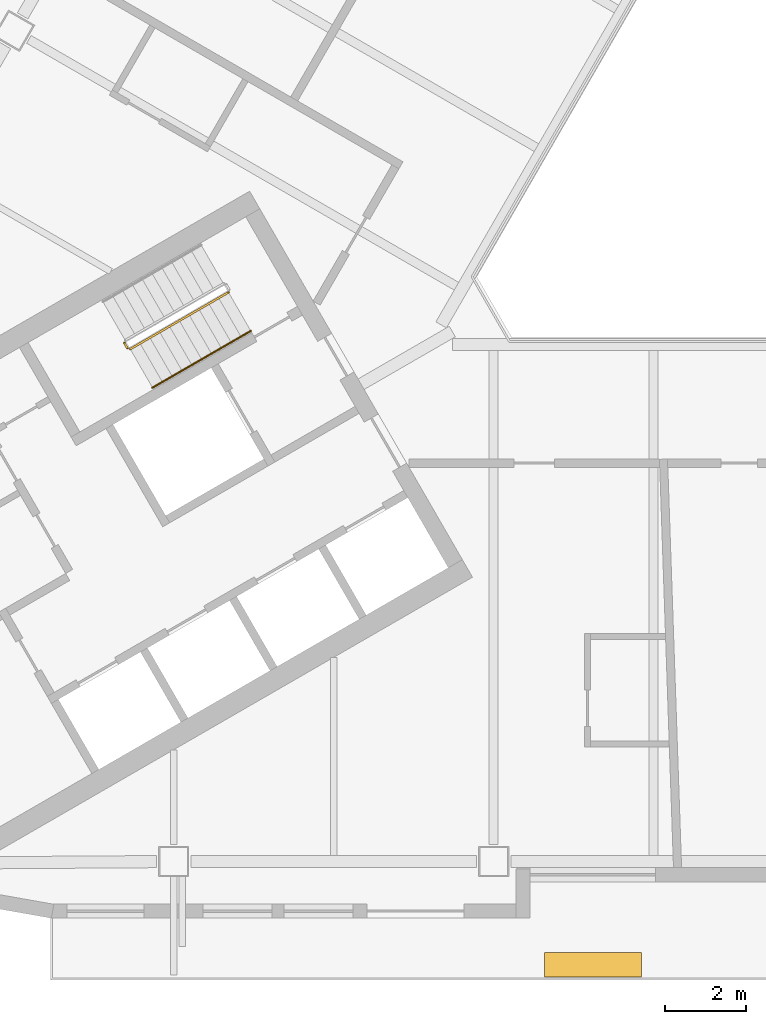
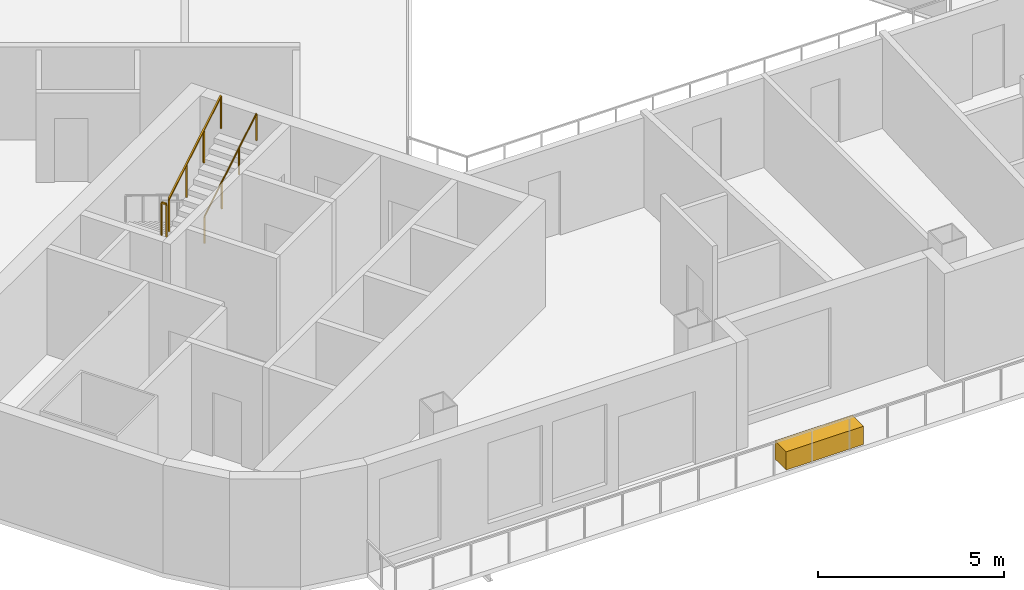
# One storey, part 8 of 13: 3 railings, 1 covering.
"""IFC4 building model written with IfcOpenShell, lengths in metres."""

from ifc_helpers import new_model, si_unit, direction, frame, origin, origin_2d, place, context, subcontext, project, spatial, rectangle, circle, extrude, material, type_object, element, save


model = new_model("IFC4")

# Units and contexts
model_context = context("Model", 3, precision=1e-05, world=origin(), true_north=direction((0.0, 1.0)))
body_context = subcontext(model_context, "Body", "Model", "MODEL_VIEW")
ifc_project = project(units=[si_unit("LENGTHUNIT", "METRE"), si_unit("AREAUNIT", "SQUARE_METRE"), si_unit("VOLUMEUNIT", "CUBIC_METRE"), si_unit("PLANEANGLEUNIT", "RADIAN"), si_unit("MASSUNIT", "GRAM", prefix="KILO")], contexts=[model_context])

# Site, building, storey
site_placement = place(None, origin())
site = spatial("IfcSite", under=ifc_project, at=site_placement, CompositionType="ELEMENT")
building_placement = place(site_placement, origin())
building = spatial("IfcBuilding", under=site, at=building_placement, Name="Apuvela Tower Hotel", CompositionType="ELEMENT")
storey_placement = place(building_placement, frame((0.0, 0.0, 187.300048828125)))
storey = spatial("IfcBuildingStorey", under=building, at=storey_placement, Name="L45", CompositionType="ELEMENT", Elevation=187.300048828125)

# Railings
ifc_material_1 = material(Name="Steel S275 balustrade", Category="steel")
railing_type_1 = type_object("IfcRailingType", Name="COR-GUARD-1100", PredefinedType="GUARDRAIL", material=ifc_material_1)
railing_1_placement = place(storey_placement, frame((-17.01220703125, -5.43408203125, 1.849853515625)))
element("IfcRailing", 1, at=railing_1_placement, inside=storey, type_object=railing_type_1, Name="L45 ST2 stair guard 2", PredefinedType="GUARDRAIL", context=body_context, shape_type="SweptSolid", body=[
    extrude(rectangle(XDim=0.048095703125, YDim=0.048095703125, at=origin_2d()), frame((0.0, 0.0, 1.076171875), z_axis=(0.499816412211, -0.866131372301, 0.0), x_axis=(0.866131372301, 0.499816412211, 0.0)), (0.0, 0.0, 1.0), 0.14990234375),
    extrude(rectangle(XDim=0.0419921875, YDim=0.0419921875, at=origin_2d()), origin(), (0.0, 0.0, 1.0), 1.052001953125),
    extrude(rectangle(XDim=0.0419921875, YDim=0.0419921875, at=origin_2d()), frame((0.074951171875, -0.1298828125, 0.0)), (0.0, 0.0, 1.0), 1.052001953125),
])
railing_2_placement = place(storey_placement, frame((-16.868896484375, -5.582275390625, 2.01806640625)))
element("IfcRailing", 2, at=railing_2_placement, inside=storey, type_object=railing_type_1, Name="L45 ST2 stair guard 3", PredefinedType="GUARDRAIL", context=body_context, shape_type="SweptSolid", body=[
    extrude(rectangle(XDim=0.048095703125, YDim=0.048095703125, at=origin_2d()), frame((0.0, 0.0, 1.076171875), z_axis=(0.742390482028, 0.42860119049, 0.514934356695), x_axis=(-0.49998411664, 0.866034573852, 0.0)), (0.0, 0.0, 1.0), 3.26611328125),
    extrude(rectangle(XDim=0.0419921875, YDim=0.0419921875, at=origin_2d()), origin(), (0.0, 0.0, 1.0), 1.052001953125),
    extrude(rectangle(XDim=0.0419921875, YDim=0.0419921875, at=origin_2d()), frame((0.808349609375, 0.466552734375, 0.560546875)), (0.0, 0.0, 1.0), 1.052001953125),
    extrude(rectangle(XDim=0.0419921875, YDim=0.0419921875, at=origin_2d()), frame((1.616455078125, 0.933349609375, 1.121337890625)), (0.0, 0.0, 1.0), 1.052001953125),
    extrude(rectangle(XDim=0.0419921875, YDim=0.0419921875, at=origin_2d()), frame((2.4248046875, 1.39990234375, 1.681884765625)), (0.0, 0.0, 1.0), 1.052001953125),
])
ifc_material_2 = material(Name="Stainless steel 316 handrail", Category="steel")
railing_type_2 = type_object("IfcRailingType", Name="COR-HANDRAIL-900", PredefinedType="HANDRAIL", material=ifc_material_2)
railing_3_placement = place(storey_placement, frame((-16.31884765625, -6.534912109375, 2.01806640625)))
element("IfcRailing", 3, at=railing_3_placement, inside=storey, type_object=railing_type_2, Name="L45 ST2 stair handrail 2", PredefinedType="HANDRAIL", context=body_context, shape_type="SweptSolid", body=[
    extrude(circle(Radius=0.02392578125, at=origin_2d()), frame((0.0, 0.0, 0.8759765625), z_axis=(0.742390482028, 0.42860119049, 0.514934356695), x_axis=(-0.49998411664, 0.866034573852, 0.0)), (0.0, 0.0, 1.0), 3.26611328125),
    extrude(rectangle(XDim=0.0419921875, YDim=0.0419921875, at=origin_2d()), origin(), (0.0, 0.0, 1.0), 0.851806640625),
    extrude(rectangle(XDim=0.0419921875, YDim=0.0419921875, at=origin_2d()), frame((0.808349609375, 0.466552734375, 0.560546875)), (0.0, 0.0, 1.0), 0.851806640625),
    extrude(rectangle(XDim=0.0419921875, YDim=0.0419921875, at=origin_2d()), frame((1.616455078125, 0.933349609375, 1.121337890625)), (0.0, 0.0, 1.0), 0.851806640625),
    extrude(rectangle(XDim=0.0419921875, YDim=0.0419921875, at=origin_2d()), frame((2.4248046875, 1.39990234375, 1.681884765625)), (0.0, 0.0, 1.0), 0.851806640625),
])

# Covering
ifc_material_3 = material(Name="Planting substrate and soil, planted")
covering_type = type_object("IfcCoveringType", Name="ENV-PLANTER-2400x600", PredefinedType="USERDEFINED", material=ifc_material_3)
covering_placement = place(storey_placement, frame((-5.44970703125, -20.780029296875, 0.0), z_axis=(0.0, 0.0, 1.0), x_axis=(1.0, 0.0, 0.0)))
element("IfcCovering", 4, at=covering_placement, inside=storey, type_object=covering_type, Name="Planter S1", ObjectType="PLANTER", PredefinedType="USERDEFINED", context=body_context, shape_type="SweptSolid", body=[
    extrude(rectangle(XDim=2.39990234375, YDim=0.60009765625, at=origin_2d()), origin(), (0.0, 0.0, 1.0), 0.60009765625),
])

save(model, "model.ifc")
